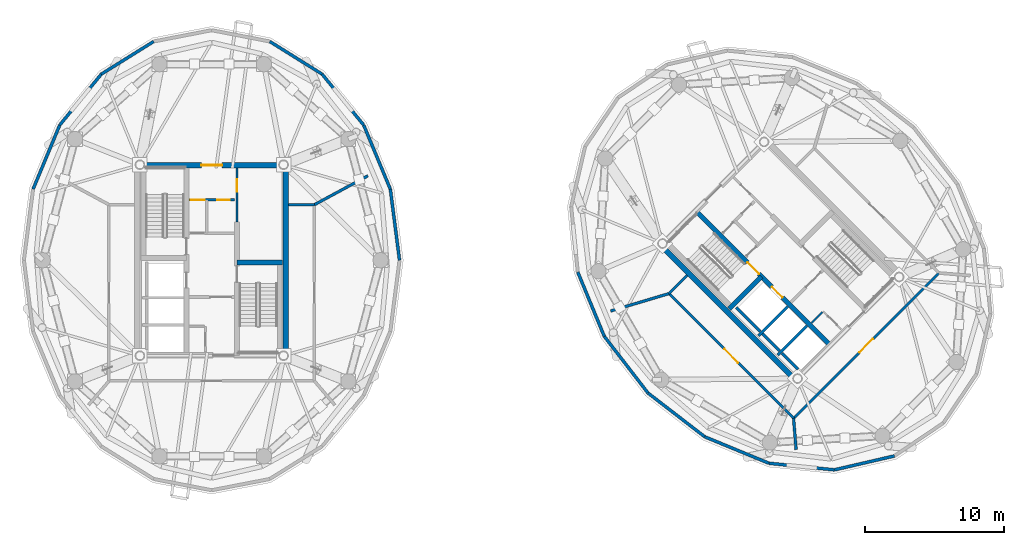
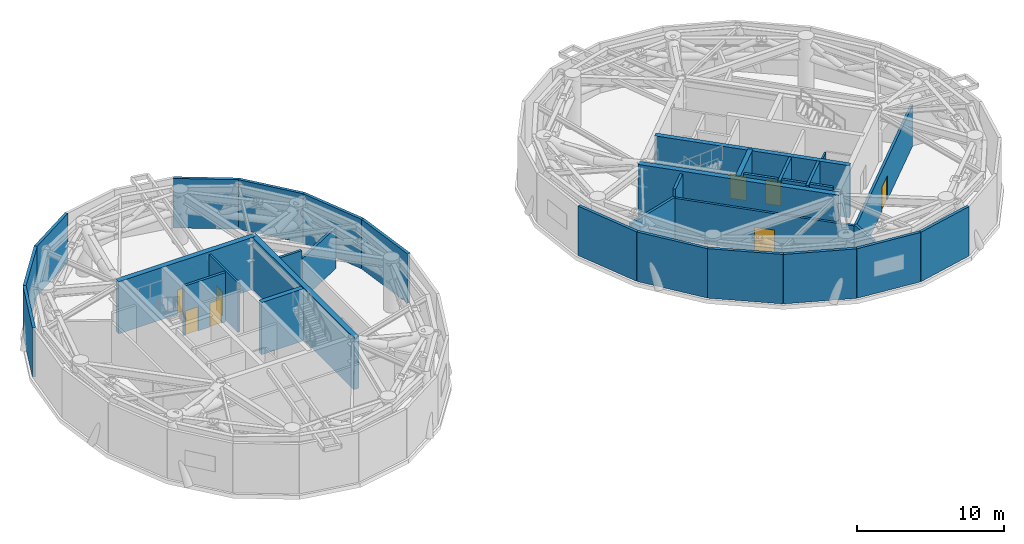
# One storey, part 9 of 14: 34 walls, 8 doors, 8 openings.
"""IFC4 building model written with IfcOpenShell, lengths in metres."""

from ifc_helpers import new_model, si_unit, direction, frame, frame_2d, origin, place, context, subcontext, project, spatial, rectangle, extrude, source, transform, mapped, material, layer, layer_set, type_object, element, fill, save


model = new_model("IFC4")

# Units and contexts
model_context = context("Model", 3, precision=1e-05, world=origin(), true_north=direction((0.0, 1.0)))
body_context = subcontext(model_context, "Body", "Model", "MODEL_VIEW")
ifc_project = project(units=[si_unit("LENGTHUNIT", "METRE"), si_unit("AREAUNIT", "SQUARE_METRE"), si_unit("VOLUMEUNIT", "CUBIC_METRE"), si_unit("PLANEANGLEUNIT", "RADIAN"), si_unit("MASSUNIT", "GRAM", prefix="KILO")], contexts=[model_context])

# Site, building, storey
site_placement = place(None, origin())
site = spatial("IfcSite", under=ifc_project, at=site_placement, CompositionType="ELEMENT")
building_placement = place(site_placement, origin())
building = spatial("IfcBuilding", under=site, at=building_placement, Name="Cununo Teusaquillo Station Towers", CompositionType="ELEMENT")
storey_placement = place(building_placement, frame((0.0, 0.0, 192.340087890625)))
storey = spatial("IfcBuildingStorey", under=building, at=storey_placement, Name="L61", CompositionType="ELEMENT", Elevation=192.340087890625)

# Walls
ifc_material_1 = material(Name="Concrete C50/60", Category="concrete")
ifc_layer_1 = layer(ifc_material_1, 0.199951171875)
ifc_layer_set_1 = layer_set([ifc_layer_1], Name="Concrete C50/60")
wall_type_1 = type_object("IfcWallType", Name="WL-CORE-200", PredefinedType="SHEAR", material=ifc_layer_set_1)
wall_1_placement = place(storey_placement, frame((55.8876953125, 19.0693359375, 0.0), z_axis=(0.0, 0.0, 1.0), x_axis=(0.707106781187, 0.707106781187, 0.0)))
element("IfcWall", 1, at=wall_1_placement, inside=storey, type_object=wall_type_1, Name="L61 Tower B Firefighting Lift Shaft South Shear Wall", PredefinedType="SHEAR", context=body_context, shape_type="SweptSolid", body=[
    extrude(rectangle(XDim=2.969970703125, YDim=0.199951171875, at=frame_2d((1.48486328125, 0.0))), origin(), (0.0, 0.0, 1.0), 4.31982421875),
])
wall_2_placement = place(storey_placement, frame((56.01513671875, 19.366455078125, 0.0), z_axis=(0.0, 0.0, 1.0), x_axis=(-0.707106781187, 0.707106781187, 0.0)))
element("IfcWall", 2, at=wall_2_placement, inside=storey, type_object=wall_type_1, Name="L61 Tower B Firefighting Lift Shaft Rear Shear Wall", PredefinedType="SHEAR", context=body_context, shape_type="SweptSolid", body=[
    extrude(rectangle(XDim=2.43994140625, YDim=0.199951171875, at=frame_2d((1.219970703125, 0.0))), origin(), (0.0, 0.0, 1.0), 4.31982421875),
])
wall_3_placement = place(storey_placement, frame((57.2841796875, 17.6728515625, 0.0), z_axis=(0.0, 0.0, 1.0), x_axis=(0.707147878904, 0.70706568108, 0.0)))
element("IfcWall", 3, at=wall_3_placement, inside=storey, type_object=wall_type_1, Name="L61 Tower B High-Rise Lift Hoistway Divider Shear Wall", PredefinedType="SHEAR", context=body_context, shape_type="SweptSolid", body=[
    extrude(rectangle(XDim=2.97021484375, YDim=0.199951171875, at=frame_2d((1.485107421875, 0.0))), origin(), (0.0, 0.0, 1.0), 4.31982421875),
])
wall_4_placement = place(storey_placement, frame((57.41162109375, 17.969970703125, 0.0), z_axis=(0.0, 0.0, 1.0), x_axis=(-0.707106781187, 0.707106781187, 0.0)))
element("IfcWall", 4, at=wall_4_placement, inside=storey, type_object=wall_type_1, Name="L61 Tower B High-Rise Lift 2 Shaft Rear Shear Wall", PredefinedType="SHEAR", context=body_context, shape_type="SweptSolid", body=[
    extrude(rectangle(XDim=1.73486328125, YDim=0.199951171875, at=frame_2d((0.867431640625, 0.0))), origin(), (0.0, 0.0, 1.0), 4.31982421875),
])
wall_5_placement = place(storey_placement, frame((58.7373046875, 16.64404296875, 0.0), z_axis=(0.0, 0.0, 1.0), x_axis=(-0.707032117043, 0.707181437447, 0.0)))
element("IfcWall", 5, at=wall_5_placement, inside=storey, type_object=wall_type_1, Name="L61 Tower B High-Rise Lift 1 Shaft Rear Shear Wall", PredefinedType="SHEAR", context=body_context, shape_type="SweptSolid", body=[
    extrude(rectangle(XDim=1.635009765625, YDim=0.199951171875, at=frame_2d((0.8173828125, 0.0))), origin(), (0.0, 0.0, 1.0), 4.31982421875),
])
ifc_material_2 = material(Name="Concrete C50/60", Category="concrete")
ifc_layer_2 = layer(ifc_material_2, 0.35009765625)
ifc_layer_set_2 = layer_set([ifc_layer_2], Name="Concrete C50/60")
wall_type_2 = type_object("IfcWallType", Name="WL-CORE-350", PredefinedType="SHEAR", material=ifc_layer_set_2)
wall_6_placement = place(storey_placement, frame((18.31494140625, 24.344970703125, 0.0), z_axis=(0.0, 0.0, 1.0), x_axis=(1.0, 0.0, 0.0)))
element("IfcWall", 6, at=wall_6_placement, inside=storey, type_object=wall_type_2, Name="L61 Tower A Core Shear Wall ST2N", PredefinedType="SHEAR", context=body_context, shape_type="SweptSolid", body=[
    extrude(rectangle(XDim=3.28515625, YDim=0.35009765625, at=frame_2d((1.642578125, 0.0))), origin(), (0.0, 0.0, 1.0), 4.31982421875),
])

# Wall, openings, doors
wall_7_placement = place(storey_placement, frame((61.060302734375, 18.372802734375, 0.0), z_axis=(0.0, 0.0, 1.0), x_axis=(-0.707106781187, 0.707106781187, 0.0)))
wall_7 = element("IfcWall", 7, at=wall_7_placement, inside=storey, type_object=wall_type_2, Name="L61 Tower B Core Shear Wall IW", PredefinedType="SHEAR", context=body_context, shape_type="SweptSolid", body=[
    extrude(rectangle(XDim=13.7001953125, YDim=0.35009765625, at=frame_2d((6.85009765625, 0.0))), origin(), (0.0, 0.0, 1.0), 4.31982421875),
])
shared_shape_1 = source(origin(), body_context, "Body", "SweptSolid", [
    extrude(rectangle(XDim=1.10009765625, YDim=2.014892578125, at=frame_2d((0.550048828125, 1.00732421875))), frame((0.0, 0.18505859375, 0.0), z_axis=(0.0, -1.0, 0.0), x_axis=(1.0, 0.0, 0.0)), (0.0, 0.0, 1.0), 0.3701171875),
])
opening_1_placement = place(wall_7_placement, frame((4.85009765625, 0.0, 0.0)))
opening_1 = element("IfcOpeningElement", 8, at=opening_1_placement, cuts=wall_7, Name="Opening LD-01", PredefinedType="OPENING", context=body_context, shape_type="MappedRepresentation", body=[
    mapped(shared_shape_1, transform((0.0, 0.0, 0.0), x_axis=(1.0, 0.0, 0.0), y_axis=(0.0, 1.0, 0.0), z_axis=(0.0, 0.0, 1.0), scale=1.0)),
])
shared_shape_2 = source(origin(), body_context, "Body", "SweptSolid", [
    extrude(rectangle(XDim=1.14990234375, YDim=2.02001953125, at=frame_2d((0.574951171875, 1.010009765625))), frame((0.0, 0.18505859375, 0.0), z_axis=(0.0, -1.0, 0.0), x_axis=(1.0, 0.0, 0.0)), (0.0, 0.0, 1.0), 0.3701171875),
])
opening_2_placement = place(wall_7_placement, frame((7.27001953125, 0.0, 0.0)))
opening_2 = element("IfcOpeningElement", 9, at=opening_2_placement, cuts=wall_7, Name="Opening D-ST1", PredefinedType="OPENING", context=body_context, shape_type="MappedRepresentation", body=[
    mapped(shared_shape_2, transform((0.0, 0.0, 0.0), x_axis=(1.0, 0.0, 0.0), y_axis=(0.0, 1.0, 0.0), z_axis=(0.0, 0.0, 1.0), scale=1.0)),
])
ifc_material_3 = material(Name="Galvanised fire-rated hollow steel door assembly", Category="steel")
door_type_1 = type_object("IfcDoorType", Name="DR-LIFT-1100", OperationType="SLIDING_TO_LEFT", PredefinedType="DOOR", material=ifc_material_3)
shared_shape_3 = source(origin(), body_context, "Body", "SweptSolid", [
    extrude(rectangle(XDim=1.10009765625, YDim=2.014892578125, at=frame_2d((0.550048828125, 1.00732421875))), frame((0.0, 0.02490234375, 0.0), z_axis=(0.0, -1.0, 0.0), x_axis=(1.0, 0.0, 0.0)), (0.0, 0.0, 1.0), 0.050048828125),
])
door_1_placement = place(opening_1_placement, origin())
door_1 = element("IfcDoor", 10, at=door_1_placement, inside=storey, type_object=door_type_1, Name="L61 Lift FL-T2 Sliding Landing Door", OperationType="SLIDING_TO_LEFT", OverallHeight=2.014892578125, OverallWidth=1.10009765625, PredefinedType="DOOR", context=body_context, shape_type="MappedRepresentation", body=[
    mapped(shared_shape_3, transform((0.0, 0.0, 0.0), x_axis=(1.0, 0.0, 0.0), y_axis=(0.0, 1.0, 0.0), z_axis=(0.0, 0.0, 1.0), scale=1.0)),
])
fill(opening_1, door_1)
ifc_material_4 = material(Name="Galvanised fire-rated hollow steel door assembly", Category="steel")
door_type_2 = type_object("IfcDoorType", Name="DR-STAIR-1150", OperationType="NOTDEFINED", PredefinedType="DOOR", material=ifc_material_4)
shared_shape_4 = source(origin(), body_context, "Body", "SweptSolid", [
    extrude(rectangle(XDim=1.14990234375, YDim=2.02001953125, at=frame_2d((0.574951171875, 1.010009765625))), frame((0.0, 0.02490234375, 0.0), z_axis=(0.0, -1.0, 0.0), x_axis=(1.0, 0.0, 0.0)), (0.0, 0.0, 1.0), 0.050048828125),
])
door_2_placement = place(opening_2_placement, origin())
door_2 = element("IfcDoor", 11, at=door_2_placement, inside=storey, type_object=door_type_2, Name="L61 Tower B Exit Stair 1 Fire Door", OperationType="SINGLE_SWING_RIGHT", OverallHeight=2.02001953125, OverallWidth=1.14990234375, PredefinedType="DOOR", context=body_context, shape_type="MappedRepresentation", body=[
    mapped(shared_shape_4, transform((0.0, 0.0, 0.0), x_axis=(1.0, 0.0, 0.0), y_axis=(0.0, 1.0, 0.0), z_axis=(0.0, 0.0, 1.0), scale=1.0)),
])
fill(opening_2, door_2)

# Walls
wall_8_placement = place(storey_placement, frame((53.7841796875, 21.00341796875, 0.0), z_axis=(0.0, 0.0, 1.0), x_axis=(0.707106781187, 0.707106781187, 0.0)))
element("IfcWall", 12, at=wall_8_placement, inside=storey, type_object=wall_type_2, Name="L61 Tower B Core Shear Wall ST1S", PredefinedType="SHEAR", context=body_context, shape_type="SweptSolid", body=[
    extrude(rectangle(XDim=3.284912109375, YDim=0.35009765625, at=frame_2d((1.642578125, 0.0))), origin(), (0.0, 0.0, 1.0), 4.31982421875),
])
ifc_material_5 = material(Name="Concrete C50/60", Category="concrete")
ifc_layer_3 = layer(ifc_material_5, 0.39990234375)
ifc_layer_set_3 = layer_set([ifc_layer_3], Name="Concrete C50/60")
wall_type_3 = type_object("IfcWallType", Name="WL-CORE-400", PredefinedType="SHEAR", material=ifc_layer_set_3)
wall_9_placement = place(storey_placement, frame((21.85009765625, 17.449951171875, 0.0), z_axis=(0.0, 0.0, 1.0), x_axis=(0.0, 1.0, 0.0)))
element("IfcWall", 13, at=wall_9_placement, inside=storey, type_object=wall_type_3, Name="L61 Tower A Core Shear Wall E", PredefinedType="SHEAR", context=body_context, shape_type="SweptSolid", body=[
    extrude(rectangle(XDim=14.10009765625, YDim=0.39990234375, at=frame_2d((7.050048828125, 0.0))), origin(), (0.0, 0.0, 1.0), 4.31982421875),
])

# Wall, opening, door
wall_10_placement = place(storey_placement, frame((11.14990234375, 31.35009765625, 0.0), z_axis=(0.0, 0.0, 1.0), x_axis=(1.0, 0.0, 0.0)))
wall_10 = element("IfcWall", 14, at=wall_10_placement, inside=storey, type_object=wall_type_3, Name="L61 Tower A Core Shear Wall N", PredefinedType="SHEAR", context=body_context, shape_type="SweptSolid", body=[
    extrude(rectangle(XDim=10.7001953125, YDim=0.39990234375, at=frame_2d((5.35009765625, 0.0))), origin(), (0.0, 0.0, 1.0), 4.31982421875),
])
shared_shape_5 = source(origin(), body_context, "Body", "SweptSolid", [
    extrude(rectangle(XDim=1.5, YDim=2.02001953125, at=frame_2d((0.75, 1.010009765625))), frame((0.0, 0.2099609375, 0.0), z_axis=(0.0, -1.0, 0.0), x_axis=(1.0, 0.0, 0.0)), (0.0, 0.0, 1.0), 0.419921875),
])
opening_3_placement = place(wall_10_placement, frame((4.60009765625, 0.0, 0.0)))
opening_3 = element("IfcOpeningElement", 15, at=opening_3_placement, cuts=wall_10, Name="Opening D-LB1", PredefinedType="OPENING", context=body_context, shape_type="MappedRepresentation", body=[
    mapped(shared_shape_5, transform((0.0, 0.0, 0.0), x_axis=(1.0, 0.0, 0.0), y_axis=(0.0, 1.0, 0.0), z_axis=(0.0, 0.0, 1.0), scale=1.0)),
])
ifc_material_6 = material(Name="Galvanised fire-rated hollow steel door assembly", Category="steel")
door_type_3 = type_object("IfcDoorType", Name="DR-LOBBY-1500", OperationType="DOUBLE_DOOR_SINGLE_SWING", PredefinedType="DOOR", material=ifc_material_6)
shared_shape_6 = source(origin(), body_context, "Body", "SweptSolid", [
    extrude(rectangle(XDim=1.5, YDim=2.02001953125, at=frame_2d((0.75, 1.010009765625))), frame((0.0, 0.02490234375, 0.0), z_axis=(0.0, -1.0, 0.0), x_axis=(1.0, 0.0, 0.0)), (0.0, 0.0, 1.0), 0.050048828125),
])
door_3_placement = place(opening_3_placement, origin())
door_3 = element("IfcDoor", 16, at=door_3_placement, inside=storey, type_object=door_type_3, Name="L61 Tower A North Core Lift Lobby Door", OperationType="DOUBLE_DOOR_SINGLE_SWING", OverallHeight=2.02001953125, OverallWidth=1.5, PredefinedType="DOOR", context=body_context, shape_type="MappedRepresentation", body=[
    mapped(shared_shape_6, transform((0.0, 0.0, 0.0), x_axis=(1.0, 0.0, 0.0), y_axis=(0.0, 1.0, 0.0), z_axis=(0.0, 0.0, 1.0), scale=1.0)),
])
fill(opening_3, door_3)

# Walls
wall_11_placement = place(storey_placement, frame((58.7021484375, 15.73193359375, 0.0), z_axis=(0.0, 0.0, 1.0), x_axis=(-0.707106781187, 0.707106781187, 0.0)))
element("IfcWall", 17, at=wall_11_placement, inside=storey, type_object=wall_type_3, Name="L61 Tower B Core Shear Wall W", PredefinedType="SHEAR", context=body_context, shape_type="SweptSolid", body=[
    extrude(rectangle(XDim=14.10009765625, YDim=0.39990234375, at=frame_2d((7.050048828125, 0.0))), origin(), (0.0, 0.0, 1.0), 4.31982421875),
])
ifc_material_7 = material(Name="Precast concrete C40/50", Category="concrete")
ifc_layer_4 = layer(ifc_material_7, 0.219970703125)
ifc_layer_set_4 = layer_set([ifc_layer_4], Name="Precast concrete C40/50")
wall_type_4 = type_object("IfcWallType", Name="WL-EXT-220", PredefinedType="SOLIDWALL", material=ifc_layer_set_4)
wall_12_placement = place(storey_placement, frame((29.36865234375, 29.620361328125, 0.0), z_axis=(0.0, 0.0, 1.0), x_axis=(0.128287912609, -0.991736966881, 0.0)))
element("IfcWall", 18, at=wall_12_placement, inside=storey, type_object=wall_type_4, Name="L61 Tower A Exterior Facade Wall C00", PredefinedType="SOLIDWALL", context=body_context, shape_type="SweptSolid", body=[
    extrude(rectangle(XDim=5.1630859375, YDim=0.219970703125, at=frame_2d((2.58154296875, 0.0))), origin(), (0.0, 0.0, 1.0), 4.094970703125),
])
wall_13_placement = place(storey_placement, frame((27.44677734375, 34.239501953125, 0.0), z_axis=(0.0, 0.0, 1.0), x_axis=(0.384144094086, -0.923273152961, 0.0)))
element("IfcWall", 19, at=wall_13_placement, inside=storey, type_object=wall_type_4, Name="L61 Tower A Exterior Facade Wall C01", PredefinedType="SOLIDWALL", context=body_context, shape_type="SweptSolid", body=[
    extrude(rectangle(XDim=5.0029296875, YDim=0.219970703125, at=frame_2d((2.50146484375, 0.0))), origin(), (0.0, 0.0, 1.0), 4.094970703125),
])
wall_14_placement = place(storey_placement, frame((24.453369140625, 37.905517578125, 0.0), z_axis=(0.0, 0.0, 1.0), x_axis=(0.632470615287, -0.774584353572, 0.0)))
element("IfcWall", 20, at=wall_14_placement, inside=storey, type_object=wall_type_4, Name="L61 Tower A Exterior Facade Wall C02", PredefinedType="SOLIDWALL", context=body_context, shape_type="SweptSolid", body=[
    extrude(rectangle(XDim=4.73291015625, YDim=0.219970703125, at=frame_2d((2.366455078125, 0.0))), origin(), (0.0, 0.0, 1.0), 4.094970703125),
])
for number, where, z_axis, x_axis, name in (
    (21, (20.681396484375, 40.259033203125, 0.0), (0.0, 0.0, 1.0), (0.848399108042, -0.529357113368, 0.0), "L61 Tower A Exterior Facade Wall C03"),
    (22, (8.546630859375, 37.905517578125, 0.0), (0.0, 0.0, 1.0), (0.848399108042, 0.529357113368, 0.0), "L61 Tower A Exterior Facade Wall C06"),
):
    element("IfcWall", number, at=place(storey_placement, frame(where, z_axis=z_axis, x_axis=x_axis)), inside=storey, type_object=wall_type_4, Name=name, PredefinedType="SOLIDWALL", context=body_context, shape_type="SweptSolid", body=[
        extrude(rectangle(XDim=4.446044921875, YDim=0.219970703125, at=frame_2d((2.22314453125, 0.0))), origin(), (0.0, 0.0, 1.0), 4.094970703125),
    ])
wall_15_placement = place(storey_placement, frame((5.55322265625, 34.239501953125, 0.0), z_axis=(0.0, 0.0, 1.0), x_axis=(0.632470615287, 0.774584353572, 0.0)))
element("IfcWall", 23, at=wall_15_placement, inside=storey, type_object=wall_type_4, Name="L61 Tower A Exterior Facade Wall C07", PredefinedType="SOLIDWALL", context=body_context, shape_type="SweptSolid", body=[
    extrude(rectangle(XDim=4.73291015625, YDim=0.219970703125, at=frame_2d((2.366455078125, 0.0))), origin(), (0.0, 0.0, 1.0), 4.094970703125),
])
wall_16_placement = place(storey_placement, frame((3.63134765625, 29.620361328125, 0.0), z_axis=(0.0, 0.0, 1.0), x_axis=(0.384144094086, 0.923273152961, 0.0)))
element("IfcWall", 24, at=wall_16_placement, inside=storey, type_object=wall_type_4, Name="L61 Tower A Exterior Facade Wall C08", PredefinedType="SOLIDWALL", context=body_context, shape_type="SweptSolid", body=[
    extrude(rectangle(XDim=5.0029296875, YDim=0.219970703125, at=frame_2d((2.50146484375, 0.0))), origin(), (0.0, 0.0, 1.0), 4.094970703125),
])
wall_17_placement = place(storey_placement, frame((44.77978515625, 19.02099609375, 0.0), z_axis=(0.0, 0.0, 1.0), x_axis=(-0.381196434348, 0.924494066201, 0.0)))
element("IfcWall", 25, at=wall_17_placement, inside=storey, type_object=wall_type_4, Name="L61 Tower B Exterior Facade Wall C08", PredefinedType="SOLIDWALL", context=body_context, shape_type="SweptSolid", body=[
    extrude(rectangle(XDim=5.003173828125, YDim=0.219970703125, at=frame_2d((2.50146484375, 0.0))), origin(), (0.0, 0.0, 1.0), 4.094970703125),
])
for number, where, z_axis, x_axis, name in (
    (26, (47.93212890625, 14.93212890625, 0.0), (0.0, 0.0, 1.0), (-0.610569654715, 0.791962560189, 0.0), "L61 Tower B Exterior Facade Wall C09"),
    (27, (52.02099609375, 11.77978515625, 0.0), (0.0, 0.0, 1.0), (-0.791962560189, 0.610569654715, 0.0), "L61 Tower B Exterior Facade Wall C10"),
):
    element("IfcWall", number, at=place(storey_placement, frame(where, z_axis=z_axis, x_axis=x_axis)), inside=storey, type_object=wall_type_4, Name=name, PredefinedType="SOLIDWALL", context=body_context, shape_type="SweptSolid", body=[
        extrude(rectangle(XDim=5.162841796875, YDim=0.219970703125, at=frame_2d((2.58154296875, 0.0))), origin(), (0.0, 0.0, 1.0), 4.094970703125),
    ])
wall_18_placement = place(storey_placement, frame((56.646484375, 9.87255859375, 0.0), z_axis=(0.0, 0.0, 1.0), x_axis=(-0.924494066201, 0.381196434348, 0.0)))
element("IfcWall", 28, at=wall_18_placement, inside=storey, type_object=wall_type_4, Name="L61 Tower B Exterior Facade Wall C11", PredefinedType="SOLIDWALL", context=body_context, shape_type="SweptSolid", body=[
    extrude(rectangle(XDim=5.003173828125, YDim=0.219970703125, at=frame_2d((2.50146484375, 0.0))), origin(), (0.0, 0.0, 1.0), 4.094970703125),
])
wall_19_placement = place(storey_placement, frame((61.355224609375, 9.397216796875, 0.0), z_axis=(0.0, 0.0, 1.0), x_axis=(-0.994943283129, 0.100438356004, 0.0)))
element("IfcWall", 29, at=wall_19_placement, inside=storey, type_object=wall_type_4, Name="L61 Tower B Exterior Facade Wall C12", PredefinedType="SOLIDWALL", context=body_context, shape_type="SweptSolid", body=[
    extrude(rectangle(XDim=4.732666015625, YDim=0.219970703125, at=frame_2d((2.3662109375, 0.0))), origin(), (0.0, 0.0, 1.0), 4.094970703125),
])
wall_20_placement = place(storey_placement, frame((65.686767578125, 10.400146484375, 0.0), z_axis=(0.0, 0.0, 1.0), x_axis=(-0.97422620202, -0.22557328587, 0.0)))
element("IfcWall", 30, at=wall_20_placement, inside=storey, type_object=wall_type_4, Name="L61 Tower B Exterior Facade Wall C13", PredefinedType="SOLIDWALL", context=body_context, shape_type="SweptSolid", body=[
    extrude(rectangle(XDim=4.446044921875, YDim=0.219970703125, at=frame_2d((2.22314453125, 0.0))), origin(), (0.0, 0.0, 1.0), 4.094970703125),
])
ifc_material_8 = material(Name="Fire-rated gypsum plasterboard partition assembly", Category="gypsum")
ifc_layer_5 = layer(ifc_material_8, 0.125)
ifc_layer_set_5 = layer_set([ifc_layer_5], Name="Fire-rated gypsum plasterboard partition assembly")
wall_type_5 = type_object("IfcWallType", Name="WL-PART-125", PredefinedType="PARTITIONING", material=ifc_layer_set_5)
wall_21_placement = place(storey_placement, frame((59.713134765625, 19.99560546875, 0.0), z_axis=(0.0, 0.0, 1.0), x_axis=(0.707217726, 0.706995818963, 0.0)))
element("IfcWall", 31, at=wall_21_placement, inside=storey, type_object=wall_type_5, Name="L61 Tower B South-West Compact Store North Wall", PredefinedType="PARTITIONING", context=body_context, shape_type="SweptSolid", body=[
    extrude(rectangle(XDim=1.10009765625, YDim=0.125, at=frame_2d((0.550048828125, 0.0))), origin(), (0.0, 0.0, 1.0), 4.094970703125),
])

# Wall, opening, door
ifc_material_9 = material(Name="Fire-rated gypsum plasterboard partition assembly", Category="gypsum")
ifc_layer_6 = layer(ifc_material_9, 0.159912109375)
ifc_layer_set_6 = layer_set([ifc_layer_6], Name="Fire-rated gypsum plasterboard partition assembly")
wall_type_6 = type_object("IfcWallType", Name="WL-PART-160", PredefinedType="PARTITIONING", material=ifc_layer_set_6)
wall_22_placement = place(storey_placement, frame((18.31494140625, 27.25, 0.0), z_axis=(0.0, 0.0, 1.0), x_axis=(0.0, 1.0, 0.0)))
wall_22 = element("IfcWall", 32, at=wall_22_placement, inside=storey, type_object=wall_type_6, Name="L61 Tower A Reclaimed Core Bay Entry Wall", PredefinedType="PARTITIONING", context=body_context, shape_type="SweptSolid", body=[
    extrude(rectangle(XDim=3.89990234375, YDim=0.159912109375, at=frame_2d((1.949951171875, 0.0))), origin(), (0.0, 0.0, 1.0), 4.094970703125),
])
shared_shape_7 = source(origin(), body_context, "Body", "SweptSolid", [
    extrude(rectangle(XDim=0.89990234375, YDim=2.0048828125, at=frame_2d((0.449951171875, 1.00244140625))), frame((0.0, 0.08984375, 0.0), z_axis=(0.0, -1.0, 0.0), x_axis=(1.0, 0.0, 0.0)), (0.0, 0.0, 1.0), 0.179931640625),
])
opening_4_placement = place(wall_22_placement, frame((2.199951171875, 0.0, 0.0)))
opening_4 = element("IfcOpeningElement", 33, at=opening_4_placement, cuts=wall_22, Name="Opening D-IN1", PredefinedType="OPENING", context=body_context, shape_type="MappedRepresentation", body=[
    mapped(shared_shape_7, transform((0.0, 0.0, 0.0), x_axis=(1.0, 0.0, 0.0), y_axis=(0.0, 1.0, 0.0), z_axis=(0.0, 0.0, 1.0), scale=1.0)),
])
ifc_material_10 = material(Name="Acoustic solid-core hardwood leaf assembly", Category="wood")
door_type_4 = type_object("IfcDoorType", Name="DR-INT-900", OperationType="NOTDEFINED", PredefinedType="DOOR", material=ifc_material_10)
shared_shape_8 = source(origin(), body_context, "Body", "SweptSolid", [
    extrude(rectangle(XDim=0.89990234375, YDim=2.0048828125, at=frame_2d((0.449951171875, 1.00244140625))), frame((0.0, 0.02490234375, 0.0), z_axis=(0.0, -1.0, 0.0), x_axis=(1.0, 0.0, 0.0)), (0.0, 0.0, 1.0), 0.050048828125),
])
door_4_placement = place(opening_4_placement, origin())
door_4 = element("IfcDoor", 34, at=door_4_placement, inside=storey, type_object=door_type_4, Name="L61 Tower A Reclaimed Core Lounge Door", OperationType="SINGLE_SWING_RIGHT", OverallHeight=2.0048828125, OverallWidth=0.89990234375, PredefinedType="DOOR", context=body_context, shape_type="MappedRepresentation", body=[
    mapped(shared_shape_8, transform((0.0, 0.0, 0.0), x_axis=(1.0, 0.0, 0.0), y_axis=(0.0, 1.0, 0.0), z_axis=(0.0, 0.0, 1.0), scale=1.0)),
])
fill(opening_4, door_4)

ifc_material_11 = material(Name="Fire-rated gypsum plasterboard partition assembly", Category="gypsum")
ifc_layer_7 = layer(ifc_material_11, 0.179931640625)
ifc_layer_set_7 = layer_set([ifc_layer_7], Name="Fire-rated gypsum plasterboard partition assembly")
wall_type_7 = type_object("IfcWallType", Name="WL-PART-180", PredefinedType="PARTITIONING", material=ifc_layer_set_7)
wall_23_placement = place(storey_placement, frame((58.419189453125, 13.115478515625, 0.0), z_axis=(0.0, 0.0, 1.0), x_axis=(0.707106781187, 0.707106781187, 0.0)))
wall_23 = element("IfcWall", 35, at=wall_23_placement, inside=storey, type_object=wall_type_7, Name="L61 Tower B Protected Plant Corridor Wall S", PredefinedType="PARTITIONING", context=body_context, shape_type="SweptSolid", body=[
    extrude(rectangle(XDim=14.80029296875, YDim=0.179931640625, at=frame_2d((7.400146484375, 0.0))), origin(), (0.0, 0.0, 1.0), 3.385986328125),
])
shared_shape_9 = source(origin(), body_context, "Body", "SweptSolid", [
    extrude(rectangle(XDim=1.39990234375, YDim=2.02001953125, at=frame_2d((0.699951171875, 1.010009765625))), frame((0.0, 0.099853515625, 0.0), z_axis=(0.0, -1.0, 0.0), x_axis=(1.0, 0.0, 0.0)), (0.0, 0.0, 1.0), 0.199951171875),
])
opening_5_placement = place(wall_23_placement, frame((6.699951171875, 0.0, 0.0)))
opening_5 = element("IfcOpeningElement", 36, at=opening_5_placement, cuts=wall_23, Name="Opening D-PL1", PredefinedType="OPENING", context=body_context, shape_type="MappedRepresentation", body=[
    mapped(shared_shape_9, transform((0.0, 0.0, 0.0), x_axis=(1.0, 0.0, 0.0), y_axis=(0.0, 1.0, 0.0), z_axis=(0.0, 0.0, 1.0), scale=1.0)),
])
ifc_material_12 = material(Name="Galvanised fire-rated hollow steel door assembly", Category="steel")
door_type_5 = type_object("IfcDoorType", Name="DR-PLANT-1400", OperationType="NOTDEFINED", PredefinedType="DOOR", material=ifc_material_12)
shared_shape_10 = source(origin(), body_context, "Body", "SweptSolid", [
    extrude(rectangle(XDim=1.39990234375, YDim=2.02001953125, at=frame_2d((0.699951171875, 1.010009765625))), frame((0.0, 0.02490234375, 0.0), z_axis=(0.0, -1.0, 0.0), x_axis=(1.0, 0.0, 0.0)), (0.0, 0.0, 1.0), 0.050048828125),
])
door_5_placement = place(opening_5_placement, origin())
door_5 = element("IfcDoor", 37, at=door_5_placement, inside=storey, type_object=door_type_5, Name="L61 Tower B Plant Room S Double Door", OperationType="SINGLE_SWING_LEFT", OverallHeight=2.02001953125, OverallWidth=1.39990234375, PredefinedType="DOOR", context=body_context, shape_type="MappedRepresentation", body=[
    mapped(shared_shape_10, transform((0.0, 0.0, 0.0), x_axis=(1.0, 0.0, 0.0), y_axis=(0.0, 1.0, 0.0), z_axis=(0.0, 0.0, 1.0), scale=1.0)),
])
fill(opening_5, door_5)

wall_24_placement = place(storey_placement, frame((58.419189453125, 13.115478515625, 0.0), z_axis=(0.0, 0.0, 1.0), x_axis=(-0.707106781187, 0.707106781187, 0.0)))
wall_24 = element("IfcWall", 38, at=wall_24_placement, inside=storey, type_object=wall_type_7, Name="L61 Tower B Protected Plant Corridor Wall W", PredefinedType="PARTITIONING", context=body_context, shape_type="SweptSolid", body=[
    extrude(rectangle(XDim=12.699951171875, YDim=0.179931640625, at=frame_2d((6.35009765625, 0.0))), origin(), (0.0, 0.0, 1.0), 3.385986328125),
])
opening_6_placement = place(wall_24_placement, frame((5.64990234375, 0.0, 0.0)))
opening_6 = element("IfcOpeningElement", 39, at=opening_6_placement, cuts=wall_24, Name="Opening D-PL1", PredefinedType="OPENING", context=body_context, shape_type="MappedRepresentation", body=[
    mapped(shared_shape_9, transform((0.0, 0.0, 0.0), x_axis=(1.0, 0.0, 0.0), y_axis=(0.0, 1.0, 0.0), z_axis=(0.0, 0.0, 1.0), scale=1.0)),
])
door_6_placement = place(opening_6_placement, origin())
door_6 = element("IfcDoor", 40, at=door_6_placement, inside=storey, type_object=door_type_5, Name="L61 Tower B Plant Room W Double Door", OperationType="SINGLE_SWING_RIGHT", OverallHeight=2.02001953125, OverallWidth=1.39990234375, PredefinedType="DOOR", context=body_context, shape_type="MappedRepresentation", body=[
    mapped(shared_shape_10, transform((0.0, 0.0, 0.0), x_axis=(1.0, 0.0, 0.0), y_axis=(0.0, 1.0, 0.0), z_axis=(0.0, 0.0, 1.0), scale=1.0)),
])
fill(opening_6, door_6)

# Wall, openings, doors
ifc_material_13 = material(Name="Fire-rated gypsum plasterboard partition assembly", Category="gypsum")
ifc_layer_8 = layer(ifc_material_13, 0.199951171875)
ifc_layer_set_8 = layer_set([ifc_layer_8], Name="Fire-rated gypsum plasterboard partition assembly")
wall_type_8 = type_object("IfcWallType", Name="WL-PART-200", PredefinedType="PARTITIONING", material=ifc_layer_set_8)
wall_25_placement = place(storey_placement, frame((14.860107421875, 28.85009765625, 0.0), z_axis=(0.0, 0.0, 1.0), x_axis=(1.0, 0.0, 0.0)))
wall_25 = element("IfcWall", 41, at=wall_25_placement, inside=storey, type_object=wall_type_8, Name="L61 Tower A North Lift Lobby South Fire Wall", PredefinedType="PARTITIONING", context=body_context, shape_type="SweptSolid", body=[
    extrude(rectangle(XDim=3.27978515625, YDim=0.199951171875, at=frame_2d((1.639892578125, 0.0))), origin(), (0.0, 0.0, 1.0), 4.094970703125),
])
shared_shape_11 = source(origin(), body_context, "Body", "SweptSolid", [
    extrude(rectangle(XDim=1.0, YDim=2.014892578125, at=frame_2d((0.5, 1.00732421875))), frame((0.0, 0.10986328125, 0.0), z_axis=(0.0, -1.0, 0.0), x_axis=(1.0, 0.0, 0.0)), (0.0, 0.0, 1.0), 0.219970703125),
])
opening_7_placement = place(wall_25_placement, frame((0.139892578125, 0.0, 0.0)))
opening_7 = element("IfcOpeningElement", 42, at=opening_7_placement, cuts=wall_25, Name="Opening D-AC1", PredefinedType="OPENING", context=body_context, shape_type="MappedRepresentation", body=[
    mapped(shared_shape_11, transform((0.0, 0.0, 0.0), x_axis=(1.0, 0.0, 0.0), y_axis=(0.0, 1.0, 0.0), z_axis=(0.0, 0.0, 1.0), scale=1.0)),
])
shared_shape_12 = source(origin(), body_context, "Body", "SweptSolid", [
    extrude(rectangle(XDim=0.89990234375, YDim=2.0048828125, at=frame_2d((0.449951171875, 1.00244140625))), frame((0.0, 0.10986328125, 0.0), z_axis=(0.0, -1.0, 0.0), x_axis=(1.0, 0.0, 0.0)), (0.0, 0.0, 1.0), 0.219970703125),
])
opening_8_placement = place(wall_25_placement, frame((2.050048828125, 0.0, 0.0)))
opening_8 = element("IfcOpeningElement", 43, at=opening_8_placement, cuts=wall_25, Name="Opening D-SR1", PredefinedType="OPENING", context=body_context, shape_type="MappedRepresentation", body=[
    mapped(shared_shape_12, transform((0.0, 0.0, 0.0), x_axis=(1.0, 0.0, 0.0), y_axis=(0.0, 1.0, 0.0), z_axis=(0.0, 0.0, 1.0), scale=1.0)),
])
ifc_material_14 = material(Name="Galvanised fire-rated hollow steel door assembly", Category="steel")
door_type_6 = type_object("IfcDoorType", Name="DR-STORE-900", OperationType="NOTDEFINED", PredefinedType="DOOR", material=ifc_material_14)
door_7_placement = place(opening_8_placement, origin())
door_7 = element("IfcDoor", 44, at=door_7_placement, inside=storey, type_object=door_type_6, Name="L61 Tower A Core Housekeeping & Linen Store Door", OperationType="SINGLE_SWING_LEFT", OverallHeight=2.0048828125, OverallWidth=0.89990234375, PredefinedType="DOOR", context=body_context, shape_type="MappedRepresentation", body=[
    mapped(shared_shape_8, transform((0.0, 0.0, 0.0), x_axis=(1.0, 0.0, 0.0), y_axis=(0.0, 1.0, 0.0), z_axis=(0.0, 0.0, 1.0), scale=1.0)),
])
fill(opening_8, door_7)
ifc_material_15 = material(Name="Acoustic solid-core hardwood leaf assembly", Category="wood")
door_type_7 = type_object("IfcDoorType", Name="DR-ACC-1000", OperationType="NOTDEFINED", PredefinedType="DOOR", material=ifc_material_15)
shared_shape_13 = source(origin(), body_context, "Body", "SweptSolid", [
    extrude(rectangle(XDim=1.0, YDim=2.014892578125, at=frame_2d((0.5, 1.00732421875))), frame((0.0, 0.02490234375, 0.0), z_axis=(0.0, -1.0, 0.0), x_axis=(1.0, 0.0, 0.0)), (0.0, 0.0, 1.0), 0.050048828125),
])
door_8_placement = place(opening_7_placement, origin())
door_8 = element("IfcDoor", 45, at=door_8_placement, inside=storey, type_object=door_type_7, Name="L61 Tower A North Lift Lobby to Stair 1 Vestibule Door", OperationType="SINGLE_SWING_LEFT", OverallHeight=2.014892578125, OverallWidth=1.0, PredefinedType="DOOR", context=body_context, shape_type="MappedRepresentation", body=[
    mapped(shared_shape_13, transform((0.0, 0.0, 0.0), x_axis=(1.0, 0.0, 0.0), y_axis=(0.0, 1.0, 0.0), z_axis=(0.0, 0.0, 1.0), scale=1.0)),
])
fill(opening_7, door_8)

# Walls
wall_26_placement = place(storey_placement, frame((22.050048828125, 28.5, 0.0), z_axis=(0.0, 0.0, 1.0), x_axis=(1.0, 0.0, 0.0)))
element("IfcWall", 46, at=wall_26_placement, inside=storey, type_object=wall_type_8, Name="L61 Tower A Sky Refuge Smoke-Stop Wall NE", PredefinedType="PARTITIONING", context=body_context, shape_type="SweptSolid", body=[
    extrude(rectangle(XDim=1.849853515625, YDim=0.199951171875, at=frame_2d((0.9248046875, 0.0))), origin(), (0.0, 0.0, 1.0), 4.094970703125),
])
wall_27_placement = place(storey_placement, frame((23.89990234375, 28.5, 0.0), z_axis=(0.0, 0.0, 1.0), x_axis=(0.879711551958, 0.475507713242, 0.0)))
element("IfcWall", 47, at=wall_27_placement, inside=storey, type_object=wall_type_8, Name="L61 Tower A Compartment Radial Fire Wall Q2", PredefinedType="PARTITIONING", context=body_context, shape_type="SweptSolid", body=[
    extrude(rectangle(XDim=4.382568359375, YDim=0.199951171875, at=frame_2d((2.19140625, 0.0))), origin(), (0.0, 0.0, 1.0), 3.385986328125),
])
wall_28_placement = place(storey_placement, frame((49.43896484375, 22.095703125, 0.0), z_axis=(0.0, 0.0, 1.0), x_axis=(0.707040798191, 0.707172758026, 0.0)))
element("IfcWall", 48, at=wall_28_placement, inside=storey, type_object=wall_type_8, Name="L61 Tower B Sky Refuge Smoke-Stop Wall NW", PredefinedType="PARTITIONING", context=body_context, shape_type="SweptSolid", body=[
    extrude(rectangle(XDim=1.85009765625, YDim=0.199951171875, at=frame_2d((0.925048828125, 0.0))), origin(), (0.0, 0.0, 1.0), 4.094970703125),
])
wall_29_placement = place(storey_placement, frame((49.43896484375, 22.095703125, 0.0), z_axis=(0.0, 0.0, 1.0), x_axis=(-0.958294184778, -0.285783581439, 0.0)))
element("IfcWall", 49, at=wall_29_placement, inside=storey, type_object=wall_type_8, Name="L61 Tower B Compartment Radial Fire Wall Q1", PredefinedType="PARTITIONING", context=body_context, shape_type="SweptSolid", body=[
    extrude(rectangle(XDim=4.382568359375, YDim=0.199951171875, at=frame_2d((2.19140625, 0.0))), origin(), (0.0, 0.0, 1.0), 3.4658203125),
])
wall_30_placement = place(storey_placement, frame((58.419189453125, 13.115478515625, 0.0), z_axis=(0.0, 0.0, 1.0), x_axis=(0.080501307187, -0.996754503146, 0.0)))
element("IfcWall", 50, at=wall_30_placement, inside=storey, type_object=wall_type_8, Name="L61 Tower B Compartment Radial Fire Wall Q4", PredefinedType="PARTITIONING", context=body_context, shape_type="SweptSolid", body=[
    extrude(rectangle(XDim=2.271484375, YDim=0.199951171875, at=frame_2d((1.1357421875, 0.0))), origin(), (0.0, 0.0, 1.0), 3.4658203125),
])

save(model, "model.ifc")
